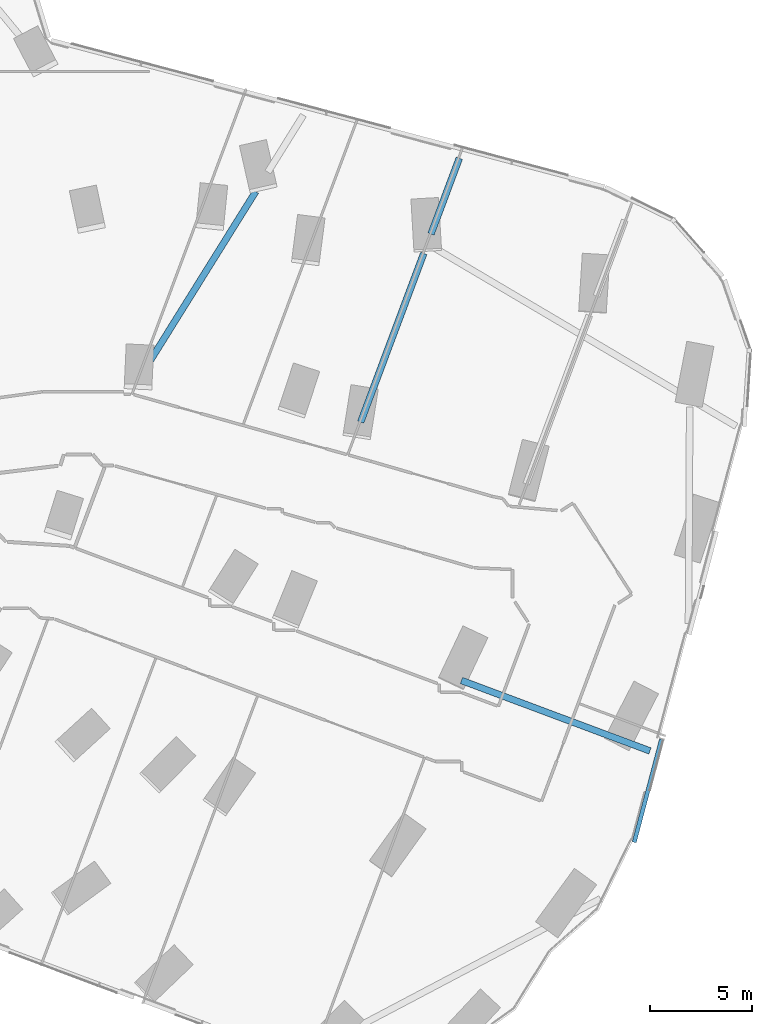
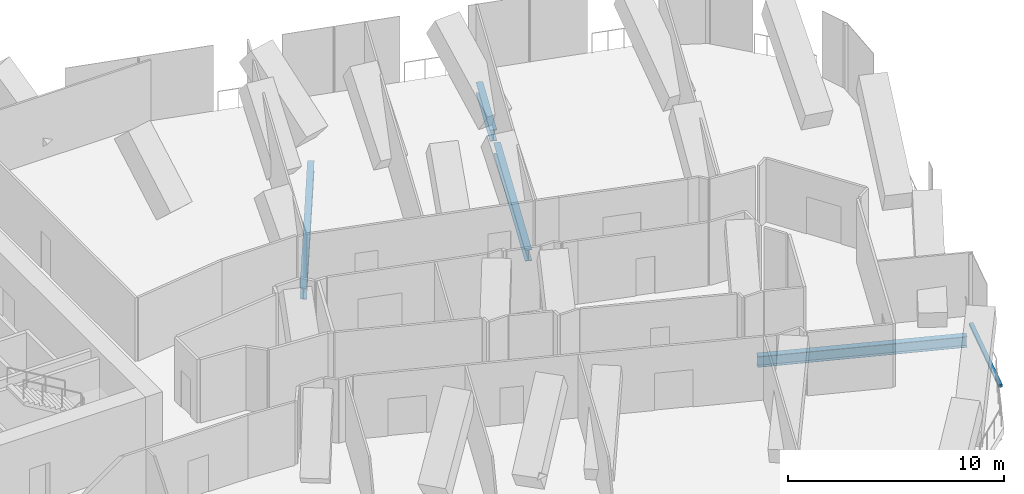
# One storey, part 10 of 34: 4 beams, 1 member, 1 element without a shape of its own.
"""IFC4 building model written with IfcOpenShell, lengths in metres."""

from ifc_helpers import new_model, si_unit, direction, frame, origin, origin_2d, place, context, subcontext, project, spatial, rectangle, i_section, extrude, material, material_profile, profile_set, type_object, element, aggregate, save


model = new_model("IFC4")

# Units and contexts
model_context = context("Model", 3, precision=1e-05, world=origin(), true_north=direction((0.0, 1.0)))
body_context = subcontext(model_context, "Body", "Model", "MODEL_VIEW")
ifc_project = project(units=[si_unit("LENGTHUNIT", "METRE"), si_unit("AREAUNIT", "SQUARE_METRE"), si_unit("VOLUMEUNIT", "CUBIC_METRE"), si_unit("PLANEANGLEUNIT", "RADIAN"), si_unit("MASSUNIT", "GRAM", prefix="KILO")], contexts=[model_context])

# Site, building, storey
site_placement = place(None, origin())
site = spatial("IfcSite", under=ifc_project, at=site_placement, CompositionType="ELEMENT")
building_placement = place(site_placement, origin())
building = spatial("IfcBuilding", under=site, at=building_placement, Name="Orlundy Tower", CompositionType="ELEMENT")
storey_placement = place(building_placement, frame((0.0, 0.0, 98.199951171875)))
storey = spatial("IfcBuildingStorey", under=building, at=storey_placement, Name="L24", CompositionType="ELEMENT", Elevation=98.199951171875)

# Beams
ifc_material_1 = material(Name="Steel ASTM A992 Gr 50", Category="steel")
ifc_material_profile_1 = material_profile(ifc_material_1, i_section(OverallWidth=0.32373046875, OverallDepth=0.611083984375, WebThickness=0.0126953125, FlangeThickness=0.01904296875, at=origin_2d()), Name="W24X104")
ifc_profile_set_1 = profile_set([ifc_material_profile_1], Name="Steel ASTM A992 Gr 50")
beam_type_1 = type_object("IfcBeamType", Name="CANTILEVER GIRDER beam W24X104", PredefinedType="BEAM", material=ifc_profile_set_1)
beam_1_placement = place(storey_placement, frame((56.666259765625, -21.186279296875, -0.70556640625), z_axis=(-0.936698111194, 0.350138042042, 0.0), x_axis=(-0.350138042042, -0.936698111194, 0.0)))
element("IfcBeam", 1, at=beam_1_placement, inside=storey, type_object=beam_type_1, Name="Cantilever girder C-A3-5 L24", PredefinedType="BEAM", context=body_context, shape_type="SweptSolid", body=[
    extrude(i_section(OverallWidth=0.32373046875, OverallDepth=0.611083984375, WebThickness=0.0126953125, FlangeThickness=0.01904296875, at=origin_2d()), origin(), (0.0, 0.0, 1.0), 9.830810546875),
])
beam_2_placement = place(storey_placement, frame((37.407958984375, 6.140380859375, -0.70556640625), z_axis=(-0.529196357644, -0.848499390133, 0.0), x_axis=(0.848499390133, -0.529196357644, 0.0)))
element("IfcBeam", 2, at=beam_2_placement, inside=storey, type_object=beam_type_1, Name="Back-span girder C-A5-1 L24", PredefinedType="BEAM", context=body_context, shape_type="SweptSolid", body=[
    extrude(i_section(OverallWidth=0.32373046875, OverallDepth=0.611083984375, WebThickness=0.0126953125, FlangeThickness=0.01904296875, at=origin_2d()), origin(), (0.0, 0.0, 1.0), 10.3115234375),
])
ifc_material_2 = material(Name="Steel ASTM A992 Gr 50", Category="steel")
ifc_material_profile_2 = material_profile(ifc_material_2, i_section(OverallWidth=0.3291015625, OverallDepth=0.635009765625, WebThickness=0.017822265625, FlangeThickness=0.031005859375, at=origin_2d()), Name="W24X162")
ifc_profile_set_2 = profile_set([ifc_material_profile_2], Name="Steel ASTM A992 Gr 50")
beam_type_2 = type_object("IfcBeamType", Name="CANTILEVER GIRDER beam W24X162", PredefinedType="BEAM", material=ifc_profile_set_2)
beam_3_placement = place(storey_placement, frame((47.3505859375, 7.7626953125, -0.717529296875), z_axis=(-0.350215600626, -0.936669116112, 0.0), x_axis=(0.936669116112, -0.350215600626, 0.0)))
element("IfcBeam", 3, at=beam_3_placement, inside=storey, type_object=beam_type_2, Name="Cantilever girder C-A5-2 L24", PredefinedType="BEAM", context=body_context, shape_type="SweptSolid", body=[
    extrude(i_section(OverallWidth=0.3291015625, OverallDepth=0.635009765625, WebThickness=0.017822265625, FlangeThickness=0.031005859375, at=origin_2d()), origin(), (0.0, 0.0, 1.0), 3.949951171875),
])
beam_4_placement = place(storey_placement, frame((45.614501953125, 3.119140625, -0.717529296875), z_axis=(-0.350177331444, -0.936683423865, 0.0), x_axis=(0.936683423865, -0.350177331444, 0.0)))
element("IfcBeam", 4, at=beam_4_placement, inside=storey, type_object=beam_type_2, Name="Back-span girder C-A5-2 L24", PredefinedType="BEAM", context=body_context, shape_type="SweptSolid", body=[
    extrude(i_section(OverallWidth=0.3291015625, OverallDepth=0.635009765625, WebThickness=0.017822265625, FlangeThickness=0.031005859375, at=origin_2d()), origin(), (0.0, 0.0, 1.0), 8.79638671875),
])

# Curtain wall, member
ifc_material_3 = material(Name="Aluminium bronze anodised", Category="aluminium")
curtain_wall_type = type_object("IfcCurtainWallType", Name="CW5 wall", PredefinedType="NOTDEFINED", material=ifc_material_3)
curtain_wall_placement = place(storey_placement, origin())
curtain_wall = element("IfcCurtainWall", 5, at=curtain_wall_placement, inside=storey, type_object=curtain_wall_type, Name="CW5 run 034", PredefinedType="NOTDEFINED")
ifc_material_4 = material(Name="Aluminium bronze anodised", Category="aluminium")
ifc_material_profile_3 = material_profile(ifc_material_4, rectangle(XDim=0.199951171875, YDim=0.139892578125, at=origin_2d()), Name="CW5 transom 200x140")
ifc_profile_set_3 = profile_set([ifc_material_profile_3], Name="Aluminium bronze anodised")
member_type = type_object("IfcMemberType", Name="CW5 transom 200x140", PredefinedType="USERDEFINED", material=ifc_profile_set_3)
member_placement = place(storey_placement, frame((57.230224609375, -20.613525390625, -0.329833984375), z_axis=(-0.255996886066, -0.966677606198, 0.0), x_axis=(0.966677606198, -0.255996886066, 0.0)))
member = element("IfcMember", 6, at=member_placement, type_object=member_type, Name="CW5 transom", ObjectType="TRANSOM", PredefinedType="USERDEFINED", context=body_context, shape_type="SweptSolid", body=[
    extrude(rectangle(XDim=0.199951171875, YDim=0.139892578125, at=origin_2d()), origin(), (0.0, 0.0, 1.0), 5.2099609375),
])
aggregate(curtain_wall, [member])

save(model, "model.ifc")
